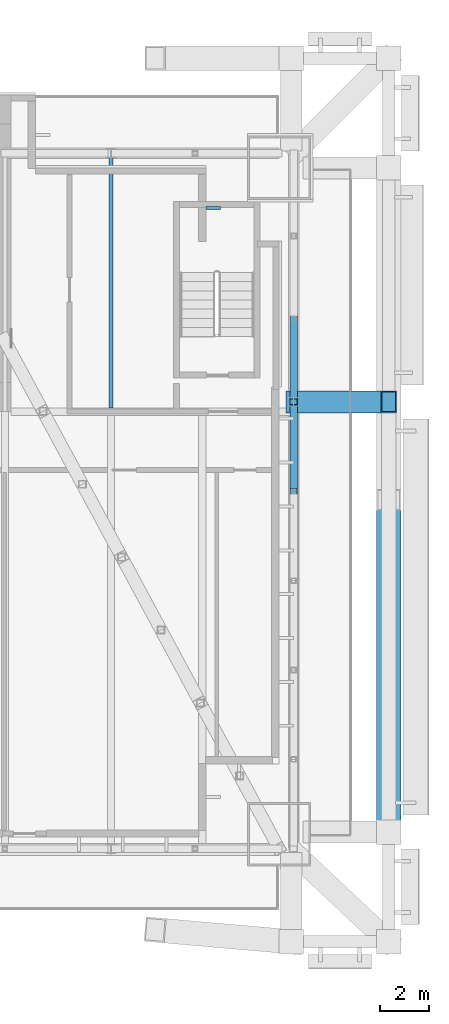
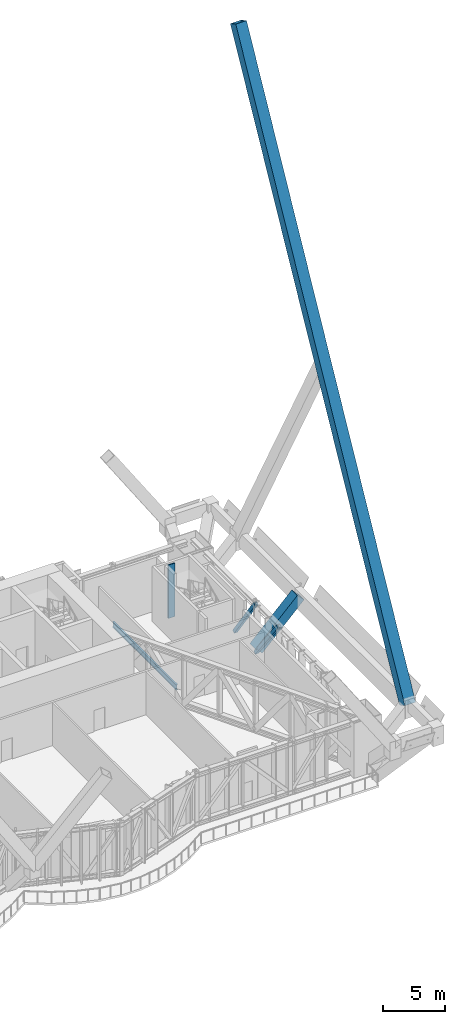
# One storey, part 15 of 30: 5 members, 1 beam, 1 element without a shape of its own.
"""IFC4 building model written with IfcOpenShell, lengths in metres."""

from ifc_helpers import new_model, si_unit, direction, frame, origin, origin_2d, place, context, subcontext, project, spatial, rectangle, hollow_rectangle, i_section, extrude, material, material_profile, profile_set, type_object, element, aggregate, save


model = new_model("IFC4")

# Units and contexts
model_context = context("Model", 3, precision=1e-05, world=origin(), true_north=direction((0.0, 1.0)))
body_context = subcontext(model_context, "Body", "Model", "MODEL_VIEW")
ifc_project = project(units=[si_unit("LENGTHUNIT", "METRE"), si_unit("AREAUNIT", "SQUARE_METRE"), si_unit("VOLUMEUNIT", "CUBIC_METRE"), si_unit("PLANEANGLEUNIT", "RADIAN"), si_unit("MASSUNIT", "GRAM", prefix="KILO")], contexts=[model_context])

# Site, building, storey
site_placement = place(None, origin())
site = spatial("IfcSite", under=ifc_project, at=site_placement, CompositionType="ELEMENT")
building_placement = place(site_placement, origin())
building = spatial("IfcBuilding", under=site, at=building_placement, Name="Bicima Exchange Tower", CompositionType="ELEMENT")
storey_placement = place(building_placement, frame((0.0, 0.0, 185.5)))
storey = spatial("IfcBuildingStorey", under=building, at=storey_placement, Name="L41", CompositionType="ELEMENT", Elevation=185.5)

# Curtain wall, member
ifc_material_1 = material(Name="Anodised bronze aluminium", Category="aluminium")
curtain_wall_type = type_object("IfcCurtainWallType", Name="Band blade screen", PredefinedType="NOTDEFINED", material=ifc_material_1)
curtain_wall_placement = place(storey_placement, origin())
curtain_wall = element("IfcCurtainWall", 1, at=curtain_wall_placement, inside=storey, type_object=curtain_wall_type, Name="Band blade screen L41", PredefinedType="NOTDEFINED")
ifc_material_profile_1 = material_profile(ifc_material_1, rectangle(XDim=0.60009765625, YDim=0.1201171875, at=origin_2d()))
ifc_profile_set_1 = profile_set([ifc_material_profile_1], Name="Anodised bronze aluminium")
member_type_1 = type_object("IfcMemberType", Name="Band blade fin 600 x 120", PredefinedType="USERDEFINED", material=ifc_profile_set_1)
member_1_placement = place(storey_placement, frame((30.300048828125, -4.64990234375, 0.0), z_axis=(0.0, 0.0, 1.0), x_axis=(-1.0, 0.0, 0.0)))
member_1 = element("IfcMember", 2, at=member_1_placement, type_object=member_type_1, Name="Band blade fin 9", ObjectType="FIN", PredefinedType="USERDEFINED", context=body_context, shape_type="SweptSolid", body=[
    extrude(rectangle(XDim=0.60009765625, YDim=0.1201171875, at=origin_2d()), origin(), (0.0, 0.0, 1.0), 5.25),
])
aggregate(curtain_wall, [member_1])

# Members
ifc_material_2 = material(Name="Steel ASTM A572 Gr 50", Category="steel")
ifc_material_profile_2 = material_profile(ifc_material_2, hollow_rectangle(XDim=0.3046875, YDim=0.3046875, WallThickness=0.01171875, at=origin_2d()))
ifc_profile_set_2 = profile_set([ifc_material_profile_2], Name="Steel ASTM A572 Gr 50")
member_type_2 = type_object("IfcMemberType", Name="Belt truss diagonal HSS12x12x1/2", PredefinedType="STRUT", material=ifc_profile_set_2)
member_2_placement = place(storey_placement, frame((33.60009765625, -9.199951171875, 0.227294921875), z_axis=(0.0, -0.578402146369, 0.815751774179), x_axis=(1.0, 0.0, 0.0)))
element("IfcMember", 3, at=member_2_placement, inside=storey, type_object=member_type_2, Name="Truss diagonal", PredefinedType="STRUT", context=body_context, shape_type="SweptSolid", body=[
    extrude(hollow_rectangle(XDim=0.3046875, YDim=0.3046875, WallThickness=0.01171875, at=origin_2d()), origin(), (0.0, 0.0, 1.0), 5.87841796875),
])
member_3_placement = place(storey_placement, frame((33.60009765625, -12.60009765625, 0.227294921875), z_axis=(0.0, -0.607492136235, 0.794325691648), x_axis=(1.0, 0.0, 0.0)))
element("IfcMember", 4, at=member_3_placement, inside=storey, type_object=member_type_2, Name="Truss diagonal", PredefinedType="STRUT", context=body_context, shape_type="SweptSolid", body=[
    extrude(hollow_rectangle(XDim=0.3046875, YDim=0.3046875, WallThickness=0.01171875, at=origin_2d()), origin(), (0.0, 0.0, 1.0), 6.037109375),
])
ifc_material_profile_3 = material_profile(ifc_material_2, hollow_rectangle(XDim=1.0, YDim=1.0, WallThickness=0.06005859375, at=origin_2d()))
ifc_profile_set_3 = profile_set([ifc_material_profile_3], Name="Steel ASTM A572 Gr 50")
member_type_3 = type_object("IfcMemberType", Name="Exo mega brace BOX 1000x1000x60", PredefinedType="BRACE", material=ifc_profile_set_3)
member_4_placement = place(storey_placement, frame((37.5, -30.256591796875, 4.5), z_axis=(0.0, 0.474968006033, 0.880003064338), x_axis=(-1.0, 0.0, 0.0)))
element("IfcMember", 5, at=member_4_placement, inside=storey, type_object=member_type_3, Name="Exo mega brace end", PredefinedType="BRACE", context=body_context, shape_type="SweptSolid", body=[
    extrude(hollow_rectangle(XDim=1.0, YDim=1.0, WallThickness=0.06005859375, at=origin_2d()), origin(), (0.0, 0.0, 1.0), 57.38623046875),
])
ifc_material_profile_4 = material_profile(ifc_material_2, hollow_rectangle(XDim=0.89990234375, YDim=0.89990234375, WallThickness=0.050048828125, at=origin_2d()))
ifc_profile_set_4 = profile_set([ifc_material_profile_4], Name="Steel ASTM A572 Gr 50")
member_type_4 = type_object("IfcMemberType", Name="Exo outrigger stub BOX 900x900x50", PredefinedType="STRUT", material=ifc_profile_set_4)
member_5_placement = place(storey_placement, frame((33.60009765625, -12.60009765625, 0.60009765625), z_axis=(0.707106781187, 0.0, 0.707106781187), x_axis=(0.0, 1.0, 0.0)))
element("IfcMember", 6, at=member_5_placement, inside=storey, type_object=member_type_4, Name="Exo outrigger stub", PredefinedType="STRUT", context=body_context, shape_type="SweptSolid", body=[
    extrude(hollow_rectangle(XDim=0.89990234375, YDim=0.89990234375, WallThickness=0.050048828125, at=origin_2d()), origin(), (0.0, 0.0, 1.0), 5.515380859375),
])

# Beam
ifc_material_3 = material(Name="Steel ASTM A992 Gr 50", Category="steel")
ifc_material_profile_5 = material_profile(ifc_material_3, i_section(OverallWidth=0.165771484375, OverallDepth=0.5283203125, WebThickness=0.009765625, FlangeThickness=0.013671875, at=origin_2d()))
ifc_profile_set_5 = profile_set([ifc_material_profile_5], Name="Steel ASTM A992 Gr 50")
beam_type = type_object("IfcBeamType", Name="Floor beam W21x50", PredefinedType="JOIST", material=ifc_profile_set_5)
beam_placement = place(storey_placement, frame((26.10009765625, -2.5625, -0.464111328125), z_axis=(0.0, -1.0, 0.0), x_axis=(1.0, 0.0, 0.0)))
element("IfcBeam", 7, at=beam_placement, inside=storey, type_object=beam_type, Name="Floor beam", PredefinedType="JOIST", context=body_context, shape_type="SweptSolid", body=[
    extrude(i_section(OverallWidth=0.165771484375, OverallDepth=0.5283203125, WebThickness=0.009765625, FlangeThickness=0.013671875, at=origin_2d()), origin(), (0.0, 0.0, 1.0), 10.28515625),
])

save(model, "model.ifc")
